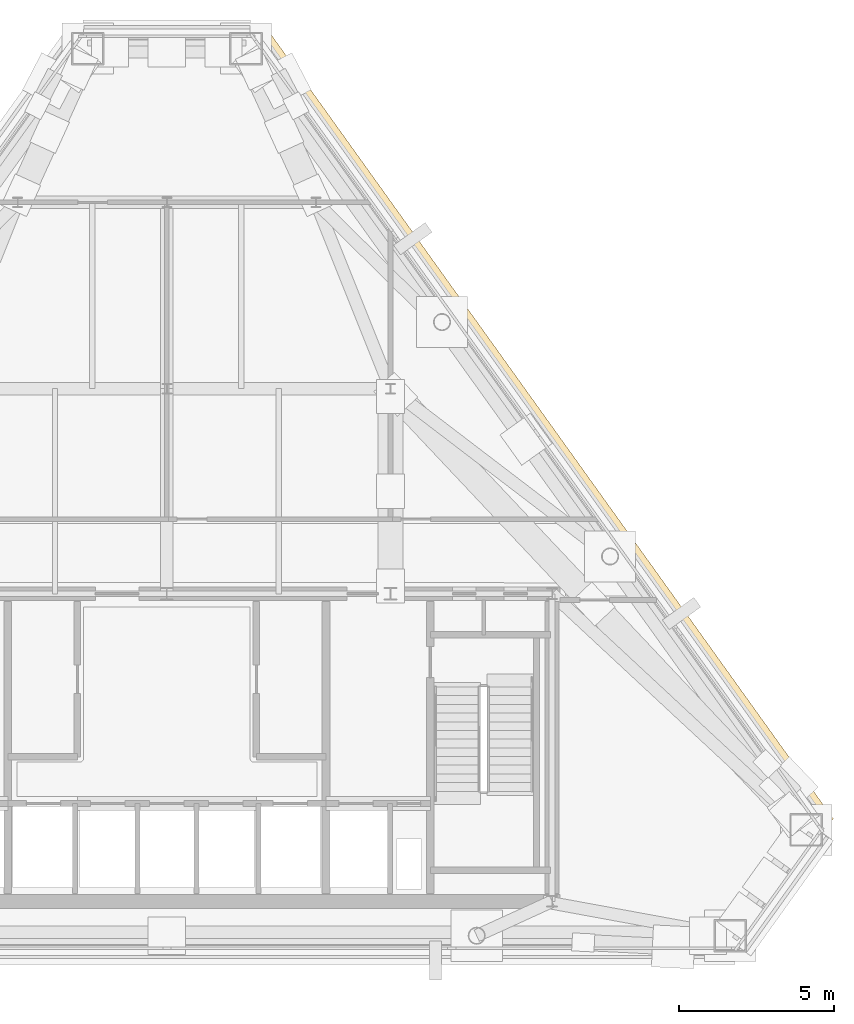
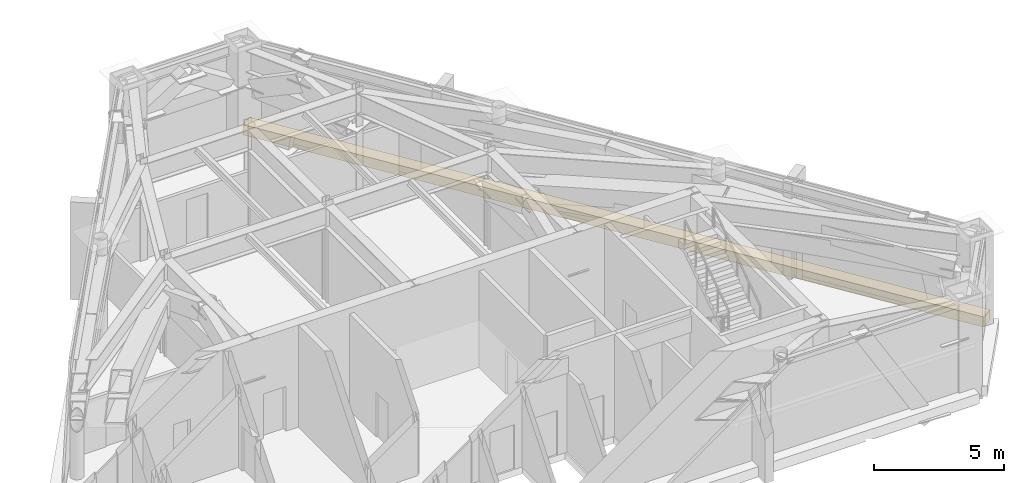
# One storey, part 9 of 9: 1 covering.
"""IFC4 building model written with IfcOpenShell, lengths in metres."""

from ifc_helpers import new_model, si_unit, direction, frame, origin, origin_2d, place, context, subcontext, project, spatial, rectangle, extrude, material, layer, layer_set, type_object, element, save


model = new_model("IFC4")

# Units and contexts
model_context = context("Model", 3, precision=1e-05, world=origin(), true_north=direction((0.0, 1.0)))
body_context = subcontext(model_context, "Body", "Model", "MODEL_VIEW")
ifc_project = project(units=[si_unit("LENGTHUNIT", "METRE"), si_unit("AREAUNIT", "SQUARE_METRE"), si_unit("VOLUMEUNIT", "CUBIC_METRE"), si_unit("PLANEANGLEUNIT", "RADIAN"), si_unit("MASSUNIT", "GRAM", prefix="KILO")], contexts=[model_context])

# Site, building, storey
site_placement = place(None, origin())
site = spatial("IfcSite", under=ifc_project, at=site_placement, CompositionType="ELEMENT")
building_placement = place(site_placement, origin())
building = spatial("IfcBuilding", under=site, at=building_placement, Name="Talgorran Terracotta Tower", CompositionType="ELEMENT")
storey_placement = place(building_placement, frame((0.0, 0.0, 244.199951171875)))
storey = spatial("IfcBuildingStorey", under=building, at=storey_placement, Name="L64", CompositionType="ELEMENT", Elevation=244.199951171875)

# Covering
ifc_material = material(Name="Honed Limestone Cladding", Category="masonry")
ifc_layer = layer(ifc_material, 0.094970703125, Name="COV_PORTAL_LIME")
ifc_layer_set = layer_set([ifc_layer], Name="Honed Limestone Cladding")
covering_type = type_object("IfcCoveringType", Name="COV_PORTAL_LIME", PredefinedType="CLADDING", material=ifc_layer_set)
covering_placement = place(storey_placement, frame((12.107177734375, 1.113037109375, -0.0400390625), z_axis=(0.0, 0.0, 1.0), x_axis=(-0.582662110936, 0.812714503673, 0.0)))
element("IfcCovering", 1, at=covering_placement, inside=storey, type_object=covering_type, Name="L64 Striped Postmodern Portal Cladding Band F3", PredefinedType="CLADDING", context=body_context, shape_type="SweptSolid", body=[
    extrude(rectangle(XDim=31.318603515625, YDim=0.56005859375, at=origin_2d()), origin(), (0.0, 0.0, 1.0), 0.47998046875),
])

save(model, "model.ifc")
